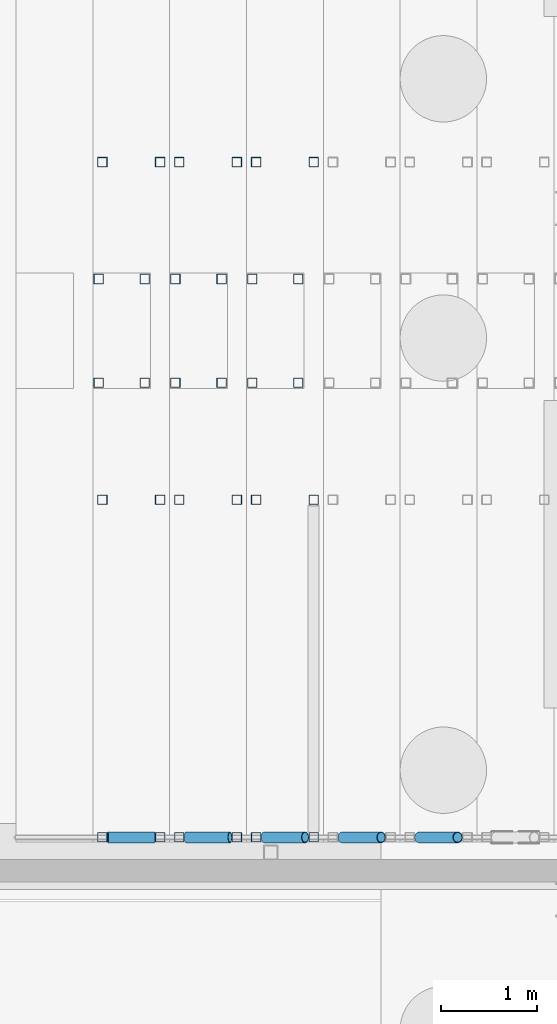
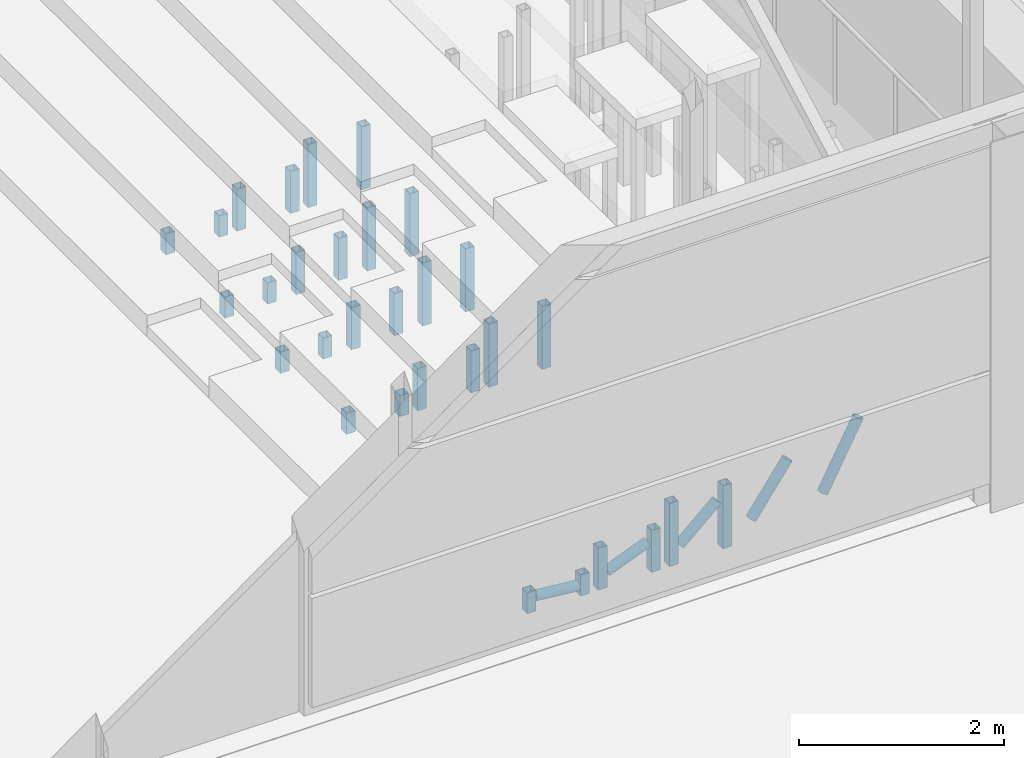
# One storey, part 68 of 139: 35 members.
"""IFC4 building model written with IfcOpenShell, lengths in metres."""

from ifc_helpers import new_model, si_unit, direction, frame, origin, origin_2d, place, context, subcontext, project, spatial, hollow_rectangle, hollow_circle, extrude, material, material_profile, profile_set, type_object, element, save


model = new_model("IFC4")

# Units and contexts
model_context = context("Model", 3, precision=1e-05, world=origin(), true_north=direction((0.0, 1.0)))
body_context = subcontext(model_context, "Body", "Model", "MODEL_VIEW")
ifc_project = project(units=[si_unit("LENGTHUNIT", "METRE"), si_unit("AREAUNIT", "SQUARE_METRE"), si_unit("VOLUMEUNIT", "CUBIC_METRE"), si_unit("PLANEANGLEUNIT", "RADIAN"), si_unit("MASSUNIT", "GRAM", prefix="KILO")], contexts=[model_context])

# Site, building, storey
site_placement = place(None, origin())
site = spatial("IfcSite", under=ifc_project, at=site_placement, CompositionType="ELEMENT")
building_placement = place(site_placement, origin())
building = spatial("IfcBuilding", under=site, at=building_placement, Name="Verrick Yard Athletic Hall", CompositionType="ELEMENT")
storey_placement = place(building_placement, origin())
storey = spatial("IfcBuildingStorey", under=building, at=storey_placement, Name="L00", CompositionType="ELEMENT", Elevation=0.0)

# Members
ifc_material = material(Name="Structural steel HSS Class C 350W (CSA G40.20/G40.21)", Category="steel")
ifc_material_profile_1 = material_profile(ifc_material, hollow_circle(Radius=0.05712890625, WallThickness=0.00634765625, at=origin_2d()), Name="HSS114x6.4")
ifc_profile_set_1 = profile_set([ifc_material_profile_1], Name="Structural steel HSS Class C 350W (CSA G40.20/G40.21)")
member_type_1 = type_object("IfcMemberType", Name="HB roof brace HSS114x6.4", PredefinedType="BRACE", material=ifc_profile_set_1)
member_1_placement = place(storey_placement, frame((164.756591796875, 72.65087890625, 0.1494140625), z_axis=(0.995007502445, 0.0, -0.099800150697), x_axis=(0.0, 1.0, 0.0)))
element("IfcMember", 1, at=member_1_placement, inside=storey, type_object=member_type_1, Name="HB-BRS-RSA2-a2", PredefinedType="BRACE", context=body_context, shape_type="SweptSolid", body=[
    extrude(hollow_circle(Radius=0.05712890625, WallThickness=0.00634765625, at=origin_2d()), origin(), (0.0, 0.0, 1.0), 0.4892578125),
])
member_2_placement = place(storey_placement, frame((165.572021484375, 72.65087890625, 0.158447265625), z_axis=(0.927927248066, 0.0, 0.372761347643), x_axis=(0.0, 1.0, 0.0)))
element("IfcMember", 2, at=member_2_placement, inside=storey, type_object=member_type_1, Name="HB-BRS-RSA2-a3", PredefinedType="BRACE", context=body_context, shape_type="SweptSolid", body=[
    extrude(hollow_circle(Radius=0.05712890625, WallThickness=0.00634765625, at=origin_2d()), origin(), (0.0, 0.0, 1.0), 0.4912109375),
])
member_3_placement = place(storey_placement, frame((166.38916015625, 72.65087890625, 0.1845703125), z_axis=(0.74207506315, 0.0, 0.670316791264), x_axis=(0.0, 1.0, 0.0)))
element("IfcMember", 3, at=member_3_placement, inside=storey, type_object=member_type_1, Name="HB-BRS-RSA2-a4", PredefinedType="BRACE", context=body_context, shape_type="SweptSolid", body=[
    extrude(hollow_circle(Radius=0.05712890625, WallThickness=0.00634765625, at=origin_2d()), origin(), (0.0, 0.0, 1.0), 0.568115234375),
])
member_4_placement = place(storey_placement, frame((167.197265625, 72.65087890625, 0.21533203125), z_axis=(0.579915574344, 0.0, 0.814676577934), x_axis=(0.0, 1.0, 0.0)))
element("IfcMember", 4, at=member_4_placement, inside=storey, type_object=member_type_1, Name="HB-BRS-RSA2-a5", PredefinedType="BRACE", context=body_context, shape_type="SweptSolid", body=[
    extrude(hollow_circle(Radius=0.05712890625, WallThickness=0.00634765625, at=origin_2d()), origin(), (0.0, 0.0, 1.0), 0.69873046875),
])
member_5_placement = place(storey_placement, frame((168.00146484375, 72.65087890625, 0.24658203125), z_axis=(0.464721937925, 0.0, 0.885456673367), x_axis=(0.0, 1.0, 0.0)))
element("IfcMember", 5, at=member_5_placement, inside=storey, type_object=member_type_1, Name="HB-BRS-RSA2-a6", PredefinedType="BRACE", context=body_context, shape_type="SweptSolid", body=[
    extrude(hollow_circle(Radius=0.05712890625, WallThickness=0.00634765625, at=origin_2d()), origin(), (0.0, 0.0, 1.0), 0.854736328125),
])
ifc_material_profile_2 = material_profile(ifc_material, hollow_rectangle(XDim=0.1015625, YDim=0.1015625, WallThickness=0.00634765625, at=origin_2d()), Name="HSS102x102x6.4")
ifc_profile_set_2 = profile_set([ifc_material_profile_2], Name="Structural steel HSS Class C 350W (CSA G40.20/G40.21)")
member_type_2 = type_object("IfcMemberType", Name="HB seating post HSS102x102x6.4", PredefinedType="POST", material=ifc_profile_set_2)
for number, where, z_axis, x_axis, name in (
    (6, (164.659912109375, 77.385498046875, 0.0), (0.0, 0.0, 1.0), (0.0, 1.0, 0.0), "HB-SP-RSA2-A1S2a"),
    (7, (164.659912109375, 78.46533203125, 0.0), (0.0, 0.0, 1.0), (0.0, 1.0, 0.0), "HB-SP-RSA2-A1S2b"),
    (8, (165.139892578125, 77.385498046875, 0.0), (0.0, 0.0, 1.0), (0.0, 1.0, 0.0), "HB-SP-RSA2-A1S2c"),
    (9, (165.139892578125, 78.46533203125, 0.0), (0.0, 0.0, 1.0), (0.0, 1.0, 0.0), "HB-SP-RSA2-A1S2d"),
    (10, (164.699951171875, 72.65087890625, 0.0), (0.0, 0.0, 1.0), (0.0, 1.0, 0.0), "HB-SP-RSA2-T2f1"),
    (11, (164.699951171875, 76.167236328125, 0.0), (0.0, 0.0, 1.0), (0.0, 1.0, 0.0), "HB-SP-RSA2-T2f2"),
    (12, (164.699951171875, 79.68359375, 0.0), (0.0, 0.0, 1.0), (0.0, 1.0, 0.0), "HB-SP-RSA2-T2f3"),
    (13, (165.300048828125, 72.65087890625, 0.0), (0.0, 0.0, 1.0), (0.0, 1.0, 0.0), "HB-SP-RSA2-T2b1"),
    (14, (165.300048828125, 76.167236328125, 0.0), (0.0, 0.0, 1.0), (0.0, 1.0, 0.0), "HB-SP-RSA2-T2b2"),
    (15, (165.300048828125, 79.68359375, 0.0), (0.0, 0.0, 1.0), (0.0, 1.0, 0.0), "HB-SP-RSA2-T2b3"),
):
    element("IfcMember", number, at=place(storey_placement, frame(where, z_axis=z_axis, x_axis=x_axis)), inside=storey, type_object=member_type_2, Name=name, PredefinedType="POST", context=body_context, shape_type="SweptSolid", body=[
        extrude(hollow_rectangle(XDim=0.1015625, YDim=0.1015625, WallThickness=0.00634765625, at=origin_2d()), origin(), (0.0, 0.0, 1.0), 0.25),
    ])
for number, where, z_axis, x_axis, name in (
    (16, (165.4599609375, 77.385498046875, 0.0), (0.0, 0.0, 1.0), (0.0, 1.0, 0.0), "HB-SP-RSA2-A1S3a"),
    (17, (165.4599609375, 78.46533203125, 0.0), (0.0, 0.0, 1.0), (0.0, 1.0, 0.0), "HB-SP-RSA2-A1S3b"),
    (18, (165.93994140625, 77.385498046875, 0.0), (0.0, 0.0, 1.0), (0.0, 1.0, 0.0), "HB-SP-RSA2-A1S3c"),
    (19, (165.93994140625, 78.46533203125, 0.0), (0.0, 0.0, 1.0), (0.0, 1.0, 0.0), "HB-SP-RSA2-A1S3d"),
    (20, (165.5, 72.65087890625, 0.0), (0.0, 0.0, 1.0), (0.0, 1.0, 0.0), "HB-SP-RSA2-T3f1"),
    (21, (165.5, 76.167236328125, 0.0), (0.0, 0.0, 1.0), (0.0, 1.0, 0.0), "HB-SP-RSA2-T3f2"),
    (22, (165.5, 79.68359375, 0.0), (0.0, 0.0, 1.0), (0.0, 1.0, 0.0), "HB-SP-RSA2-T3f3"),
    (23, (166.10009765625, 72.65087890625, 0.0), (0.0, 0.0, 1.0), (0.0, 1.0, 0.0), "HB-SP-RSA2-T3b1"),
    (24, (166.10009765625, 76.167236328125, 0.0), (0.0, 0.0, 1.0), (0.0, 1.0, 0.0), "HB-SP-RSA2-T3b2"),
    (25, (166.10009765625, 79.68359375, 0.0), (0.0, 0.0, 1.0), (0.0, 1.0, 0.0), "HB-SP-RSA2-T3b3"),
):
    element("IfcMember", number, at=place(storey_placement, frame(where, z_axis=z_axis, x_axis=x_axis)), inside=storey, type_object=member_type_2, Name=name, PredefinedType="POST", context=body_context, shape_type="SweptSolid", body=[
        extrude(hollow_rectangle(XDim=0.1015625, YDim=0.1015625, WallThickness=0.00634765625, at=origin_2d()), origin(), (0.0, 0.0, 1.0), 0.5),
    ])
for number, where, z_axis, x_axis, name in (
    (26, (166.260009765625, 77.385498046875, 0.0), (0.0, 0.0, 1.0), (0.0, 1.0, 0.0), "HB-SP-RSA2-A1S4a"),
    (27, (166.260009765625, 78.46533203125, 0.0), (0.0, 0.0, 1.0), (0.0, 1.0, 0.0), "HB-SP-RSA2-A1S4b"),
    (28, (166.739990234375, 77.385498046875, 0.0), (0.0, 0.0, 1.0), (0.0, 1.0, 0.0), "HB-SP-RSA2-A1S4c"),
    (29, (166.739990234375, 78.46533203125, 0.0), (0.0, 0.0, 1.0), (0.0, 1.0, 0.0), "HB-SP-RSA2-A1S4d"),
    (30, (166.300048828125, 72.65087890625, 0.0), (0.0, 0.0, 1.0), (0.0, 1.0, 0.0), "HB-SP-RSA2-T4f1"),
    (31, (166.300048828125, 76.167236328125, 0.0), (0.0, 0.0, 1.0), (0.0, 1.0, 0.0), "HB-SP-RSA2-T4f2"),
    (32, (166.300048828125, 79.68359375, 0.0), (0.0, 0.0, 1.0), (0.0, 1.0, 0.0), "HB-SP-RSA2-T4f3"),
    (33, (166.89990234375, 72.65087890625, 0.0), (0.0, 0.0, 1.0), (0.0, 1.0, 0.0), "HB-SP-RSA2-T4b1"),
    (34, (166.89990234375, 76.167236328125, 0.0), (0.0, 0.0, 1.0), (0.0, 1.0, 0.0), "HB-SP-RSA2-T4b2"),
    (35, (166.89990234375, 79.68359375, 0.0), (0.0, 0.0, 1.0), (0.0, 1.0, 0.0), "HB-SP-RSA2-T4b3"),
):
    element("IfcMember", number, at=place(storey_placement, frame(where, z_axis=z_axis, x_axis=x_axis)), inside=storey, type_object=member_type_2, Name=name, PredefinedType="POST", context=body_context, shape_type="SweptSolid", body=[
        extrude(hollow_rectangle(XDim=0.1015625, YDim=0.1015625, WallThickness=0.00634765625, at=origin_2d()), origin(), (0.0, 0.0, 1.0), 0.75),
    ])

save(model, "model.ifc")
